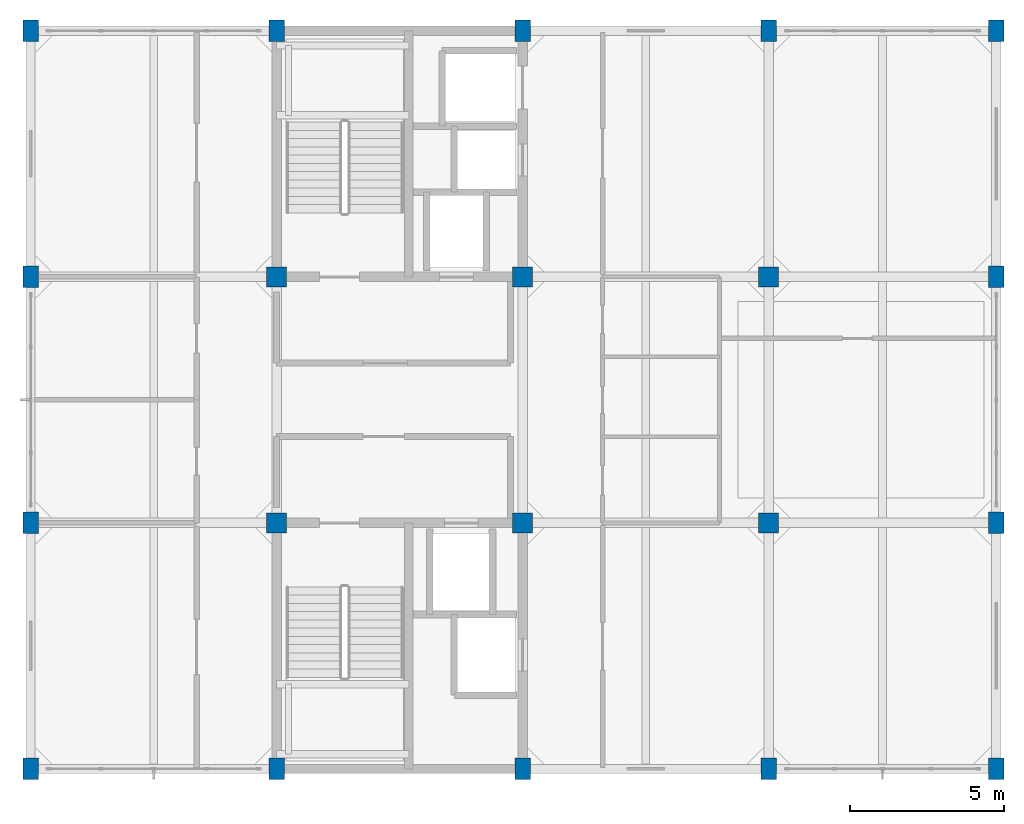
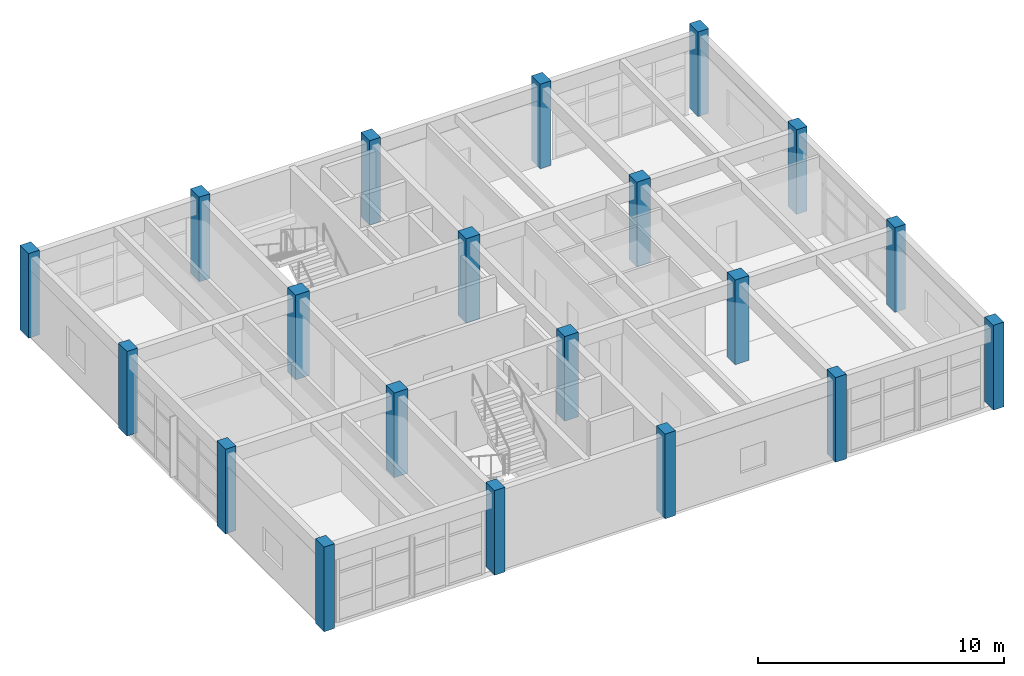
# One storey, part 1 of 18: 20 columns.
"""IFC4 building model written with IfcOpenShell, lengths in metres."""

from ifc_helpers import new_model, si_unit, direction, frame, origin, origin_2d, place, context, subcontext, project, spatial, rectangle, extrude, material, material_profile, profile_set, type_object, element, save


model = new_model("IFC4")

# Units and contexts
model_context = context("Model", 3, precision=1e-05, world=origin(), true_north=direction((0.0, 1.0)))
body_context = subcontext(model_context, "Body", "Model", "MODEL_VIEW")
ifc_project = project(units=[si_unit("LENGTHUNIT", "METRE"), si_unit("AREAUNIT", "SQUARE_METRE"), si_unit("VOLUMEUNIT", "CUBIC_METRE"), si_unit("PLANEANGLEUNIT", "RADIAN"), si_unit("MASSUNIT", "GRAM", prefix="KILO")], contexts=[model_context])

# Site, building, storey
site_placement = place(None, origin())
site = spatial("IfcSite", under=ifc_project, at=site_placement, CompositionType="ELEMENT")
building_placement = place(site_placement, origin())
building = spatial("IfcBuilding", under=site, at=building_placement, Name="Canggui Botanical Conservatory", CompositionType="ELEMENT")
storey_placement = place(building_placement, frame((0.0, 0.0, 61.199951171875)))
storey = spatial("IfcBuildingStorey", under=building, at=storey_placement, Name="L15", CompositionType="ELEMENT", Elevation=61.199951171875)

# Columns
ifc_material = material(Name="Concrete C35", Category="concrete")
ifc_material_profile_1 = material_profile(ifc_material, rectangle(XDim=0.64990234375, YDim=0.64990234375, at=origin_2d()), Name="RC 650x650")
ifc_profile_set_1 = profile_set([ifc_material_profile_1], Name="Concrete C35")
column_type_1 = type_object("IfcColumnType", Name="COL-KZ10", PredefinedType="COLUMN", material=ifc_profile_set_1)
for number, where, z_axis, x_axis, name in (
    (1, (154.0, 50.0, 0.0), (0.0, 0.0, 1.0), (1.0, 0.0, 0.0), "Tower RC Column L15 (154,50)"),
    (2, (154.0, 58.0, 0.0), (0.0, 0.0, 1.0), (1.0, 0.0, 0.0), "Tower RC Column L15 (154,58)"),
    (3, (162.0, 50.0, 0.0), (0.0, 0.0, 1.0), (1.0, 0.0, 0.0), "Tower RC Column L15 (162,50)"),
    (4, (162.0, 58.0, 0.0), (0.0, 0.0, 1.0), (1.0, 0.0, 0.0), "Tower RC Column L15 (162,58)"),
    (5, (170.0, 50.0, 0.0), (0.0, 0.0, 1.0), (1.0, 0.0, 0.0), "Tower RC Column L15 (170,50)"),
    (6, (170.0, 58.0, 0.0), (0.0, 0.0, 1.0), (1.0, 0.0, 0.0), "Tower RC Column L15 (170,58)"),
):
    element("IfcColumn", number, at=place(storey_placement, frame(where, z_axis=z_axis, x_axis=x_axis)), inside=storey, type_object=column_type_1, Name=name, PredefinedType="COLUMN", context=body_context, shape_type="SweptSolid", body=[
        extrude(rectangle(XDim=0.64990234375, YDim=0.64990234375, at=origin_2d()), origin(), (0.0, 0.0, 1.0), 4.199951171875),
    ])
ifc_material_profile_2 = material_profile(ifc_material, rectangle(XDim=0.5, YDim=0.699951171875, at=origin_2d()), Name="RC 500x700")
ifc_profile_set_2 = profile_set([ifc_material_profile_2], Name="Concrete C35")
column_type_2 = type_object("IfcColumnType", Name="COL-KZ18", PredefinedType="COLUMN", material=ifc_profile_set_2)
for number, where, z_axis, x_axis, name in (
    (7, (146.0, 42.0, 0.0), (0.0, 0.0, 1.0), (1.0, 0.0, 0.0), "Tower RC Column L15 (146,42)"),
    (8, (146.0, 50.0, 0.0), (0.0, 0.0, 1.0), (1.0, 0.0, 0.0), "Tower RC Column L15 (146,50)"),
    (9, (146.0, 58.0, 0.0), (0.0, 0.0, 1.0), (1.0, 0.0, 0.0), "Tower RC Column L15 (146,58)"),
    (10, (146.0, 66.0, 0.0), (0.0, 0.0, 1.0), (1.0, 0.0, 0.0), "Tower RC Column L15 (146,66)"),
    (11, (154.0, 42.0, 0.0), (0.0, 0.0, 1.0), (1.0, 0.0, 0.0), "Tower RC Column L15 (154,42)"),
    (12, (154.0, 66.0, 0.0), (0.0, 0.0, 1.0), (1.0, 0.0, 0.0), "Tower RC Column L15 (154,66)"),
    (13, (162.0, 42.0, 0.0), (0.0, 0.0, 1.0), (1.0, 0.0, 0.0), "Tower RC Column L15 (162,42)"),
    (14, (162.0, 66.0, 0.0), (0.0, 0.0, 1.0), (1.0, 0.0, 0.0), "Tower RC Column L15 (162,66)"),
    (15, (170.0, 42.0, 0.0), (0.0, 0.0, 1.0), (1.0, 0.0, 0.0), "Tower RC Column L15 (170,42)"),
    (16, (170.0, 66.0, 0.0), (0.0, 0.0, 1.0), (1.0, 0.0, 0.0), "Tower RC Column L15 (170,66)"),
    (17, (177.39990234375, 42.0, 0.0), (0.0, 0.0, 1.0), (1.0, 0.0, 0.0), "Tower RC Column L15 (178,42)"),
    (18, (177.39990234375, 50.0, 0.0), (0.0, 0.0, 1.0), (1.0, 0.0, 0.0), "Tower RC Column L15 (178,50)"),
    (19, (177.39990234375, 58.0, 0.0), (0.0, 0.0, 1.0), (1.0, 0.0, 0.0), "Tower RC Column L15 (178,58)"),
    (20, (177.39990234375, 66.0, 0.0), (0.0, 0.0, 1.0), (1.0, 0.0, 0.0), "Tower RC Column L15 (178,66)"),
):
    element("IfcColumn", number, at=place(storey_placement, frame(where, z_axis=z_axis, x_axis=x_axis)), inside=storey, type_object=column_type_2, Name=name, PredefinedType="COLUMN", context=body_context, shape_type="SweptSolid", body=[
        extrude(rectangle(XDim=0.5, YDim=0.699951171875, at=origin_2d()), origin(), (0.0, 0.0, 1.0), 4.199951171875),
    ])

save(model, "model.ifc")
